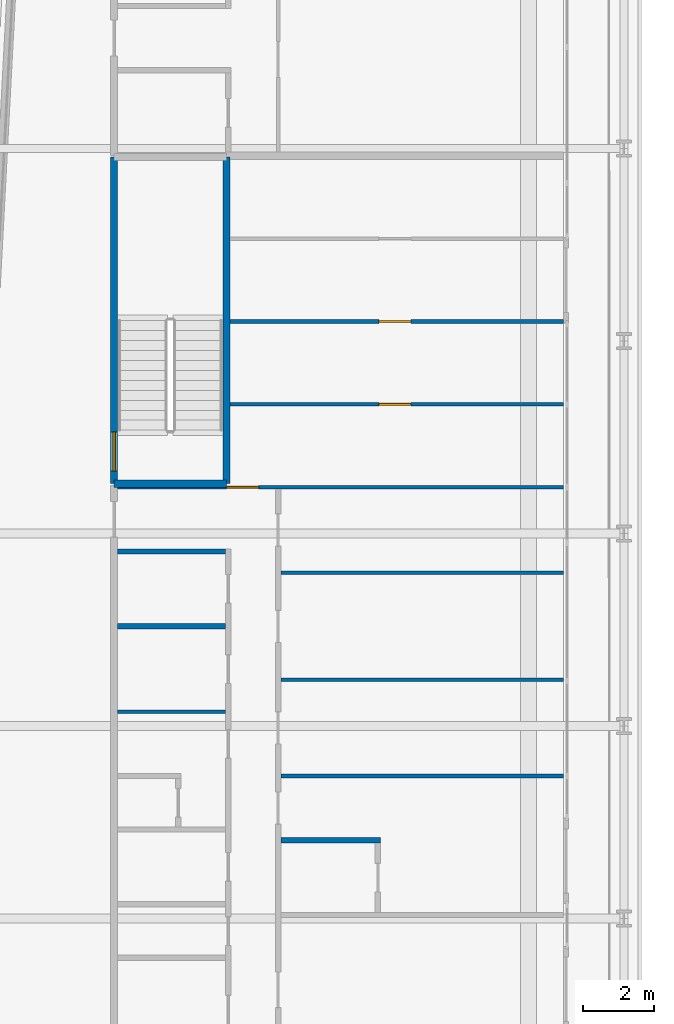
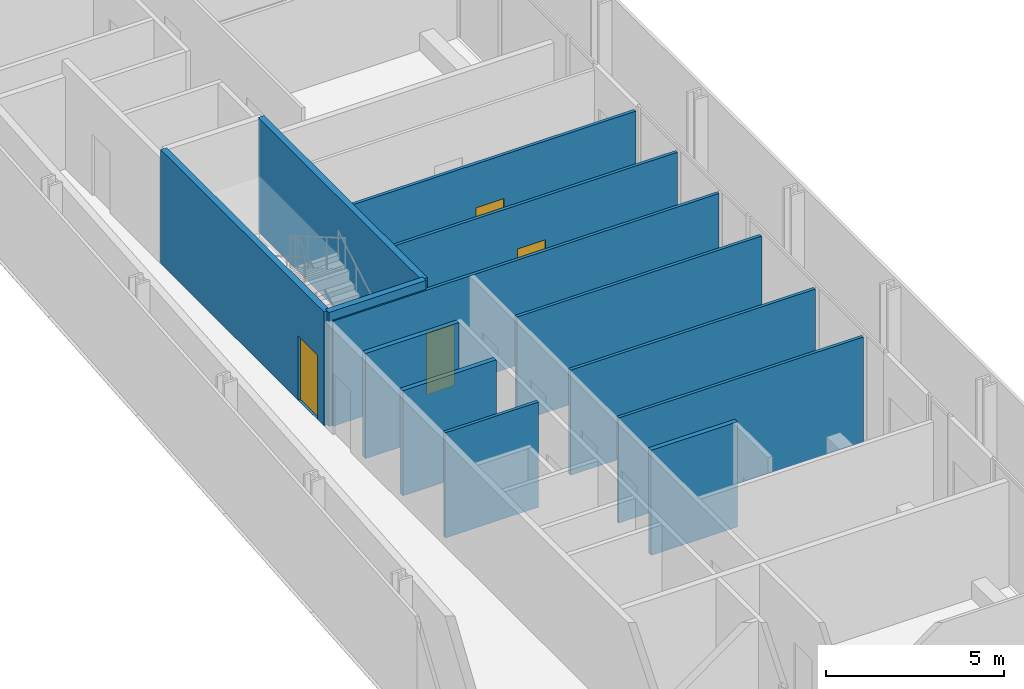
# One storey, part 17 of 27: 13 walls, 4 doors, 4 openings.
"""IFC4 building model written with IfcOpenShell, lengths in metres."""

from ifc_helpers import new_model, si_unit, direction, frame, frame_2d, origin, place, context, subcontext, project, spatial, rectangle, extrude, source, transform, mapped, material, layer, layer_set, type_object, element, fill, save


model = new_model("IFC4")

# Units and contexts
model_context = context("Model", 3, precision=1e-05, world=origin(), true_north=direction((0.0, 1.0)))
body_context = subcontext(model_context, "Body", "Model", "MODEL_VIEW")
ifc_project = project(units=[si_unit("LENGTHUNIT", "METRE"), si_unit("AREAUNIT", "SQUARE_METRE"), si_unit("VOLUMEUNIT", "CUBIC_METRE"), si_unit("PLANEANGLEUNIT", "RADIAN"), si_unit("MASSUNIT", "GRAM", prefix="KILO")], contexts=[model_context])

# Site, building, storey
site_placement = place(None, origin())
site = spatial("IfcSite", under=ifc_project, at=site_placement, CompositionType="ELEMENT")
building_placement = place(site_placement, origin())
building = spatial("IfcBuilding", under=site, at=building_placement, Name="Kheshtan School and Residences Tower", CompositionType="ELEMENT")
storey_placement = place(building_placement, frame((0.0, 0.0, 46.10009765625)))
storey = spatial("IfcBuildingStorey", under=building, at=storey_placement, Name="L10", CompositionType="ELEMENT", Elevation=46.10009765625)

# Wall
ifc_material_1 = material(Name="Gypsum board on steel studs", Category="steel")
ifc_layer_1 = layer(ifc_material_1, 0.10009765625)
ifc_layer_set_1 = layer_set([ifc_layer_1], Name="Gypsum partition 100")
wall_type_1 = type_object("IfcWallType", Name="Gypsum partition 100", PredefinedType="PARTITIONING", material=ifc_layer_set_1)
wall_1_placement = place(storey_placement, frame((33.39990234375, 73.0, 0.0), z_axis=(0.0, 0.0, 1.0), x_axis=(1.0, 0.0, 0.0)))
element("IfcWall", 1, at=wall_1_placement, inside=storey, type_object=wall_type_1, Name="Partition L10-014", PredefinedType="PARTITIONING", context=body_context, shape_type="SweptSolid", body=[
    extrude(rectangle(XDim=3.025146484375, YDim=0.10009765625, at=frame_2d((1.5126953125, 0.0))), origin(), (0.0, 0.0, 1.0), 3.599853515625),
])

# Wall, opening, door
wall_2_placement = place(storey_placement, frame((33.39990234375, 79.300048828125, 0.0), z_axis=(0.0, 0.0, 1.0), x_axis=(1.0, 0.0, 0.0)))
wall_2 = element("IfcWall", 2, at=wall_2_placement, inside=storey, type_object=wall_type_1, Name="Partition L10-017", PredefinedType="PARTITIONING", context=body_context, shape_type="SweptSolid", body=[
    extrude(rectangle(XDim=12.5, YDim=0.10009765625, at=frame_2d((6.25, 0.0))), origin(), (0.0, 0.0, 1.0), 3.599853515625),
])
opening_1_placement = place(wall_2_placement, frame((3.052978515625, 0.0, 0.0)))
opening_1 = element("IfcOpeningElement", 3, at=opening_1_placement, cuts=wall_2, Name="Opening D10-046", PredefinedType="OPENING", context=body_context, shape_type="SweptSolid", body=[
    extrude(rectangle(XDim=0.89990234375, YDim=2.10009765625, at=frame_2d((0.449951171875, 1.050048828125))), frame((0.0, 0.06005859375, 0.0), z_axis=(0.0, -1.0, 0.0), x_axis=(1.0, 0.0, 0.0)), (0.0, 0.0, 1.0), 0.1201171875),
])
ifc_material_2 = material(Name="Veneered timber door leaf", Category="wood")
door_type_1 = type_object("IfcDoorType", Name="Door 900 x 2100", OperationType="SINGLE_SWING_LEFT", PredefinedType="DOOR", material=ifc_material_2)
shared_shape_1 = source(origin(), body_context, "Body", "SweptSolid", [
    extrude(rectangle(XDim=0.89990234375, YDim=2.10009765625, at=frame_2d((0.449951171875, 1.050048828125))), frame((0.0, 0.02490234375, 0.0), z_axis=(0.0, -1.0, 0.0), x_axis=(1.0, 0.0, 0.0)), (0.0, 0.0, 1.0), 0.050048828125),
])
door_1_placement = place(opening_1_placement, origin())
door_1 = element("IfcDoor", 4, at=door_1_placement, inside=storey, type_object=door_type_1, Name="Door D10-046", OperationType="SINGLE_SWING_LEFT", OverallHeight=2.10009765625, OverallWidth=0.89990234375, PredefinedType="DOOR", context=body_context, shape_type="MappedRepresentation", body=[
    mapped(shared_shape_1, transform((0.0, 0.0, 0.0), x_axis=(1.0, 0.0, 0.0), y_axis=(0.0, 1.0, 0.0), z_axis=(0.0, 0.0, 1.0), scale=1.0)),
])
fill(opening_1, door_1)

wall_3_placement = place(storey_placement, frame((36.549072265625, 81.625, 0.0), z_axis=(0.0, 0.0, 1.0), x_axis=(1.0, 0.0, 0.0)))
wall_3 = element("IfcWall", 5, at=wall_3_placement, inside=storey, type_object=wall_type_1, Name="Partition L10-030", PredefinedType="PARTITIONING", context=body_context, shape_type="SweptSolid", body=[
    extrude(rectangle(XDim=9.350830078125, YDim=0.10009765625, at=frame_2d((4.67529296875, 0.0))), origin(), (0.0, 0.0, 1.0), 3.599853515625),
])
opening_2_placement = place(wall_3_placement, frame((4.176025390625, 0.0, 0.0)))
opening_2 = element("IfcOpeningElement", 6, at=opening_2_placement, cuts=wall_3, Name="Opening D10-047", PredefinedType="OPENING", context=body_context, shape_type="SweptSolid", body=[
    extrude(rectangle(XDim=0.89990234375, YDim=2.10009765625, at=frame_2d((0.449951171875, 1.050048828125))), frame((0.0, 0.06005859375, 0.0), z_axis=(0.0, -1.0, 0.0), x_axis=(1.0, 0.0, 0.0)), (0.0, 0.0, 1.0), 0.1201171875),
])
door_2_placement = place(opening_2_placement, origin())
door_2 = element("IfcDoor", 7, at=door_2_placement, inside=storey, type_object=door_type_1, Name="Door D10-047", OperationType="SINGLE_SWING_RIGHT", OverallHeight=2.10009765625, OverallWidth=0.89990234375, PredefinedType="DOOR", context=body_context, shape_type="MappedRepresentation", body=[
    mapped(shared_shape_1, transform((0.0, 0.0, 0.0), x_axis=(1.0, 0.0, 0.0), y_axis=(0.0, 1.0, 0.0), z_axis=(0.0, 0.0, 1.0), scale=1.0)),
])
fill(opening_2, door_2)

wall_4_placement = place(storey_placement, frame((36.549072265625, 83.949951171875, 0.0), z_axis=(0.0, 0.0, 1.0), x_axis=(1.0, 0.0, 0.0)))
wall_4 = element("IfcWall", 8, at=wall_4_placement, inside=storey, type_object=wall_type_1, Name="Partition L10-031", PredefinedType="PARTITIONING", context=body_context, shape_type="SweptSolid", body=[
    extrude(rectangle(XDim=9.350830078125, YDim=0.10009765625, at=frame_2d((4.67529296875, 0.0))), origin(), (0.0, 0.0, 1.0), 3.599853515625),
])
opening_3_placement = place(wall_4_placement, frame((4.176025390625, 0.0, 0.0)))
opening_3 = element("IfcOpeningElement", 9, at=opening_3_placement, cuts=wall_4, Name="Opening D10-048", PredefinedType="OPENING", context=body_context, shape_type="SweptSolid", body=[
    extrude(rectangle(XDim=0.89990234375, YDim=2.10009765625, at=frame_2d((0.449951171875, 1.050048828125))), frame((0.0, 0.06005859375, 0.0), z_axis=(0.0, -1.0, 0.0), x_axis=(1.0, 0.0, 0.0)), (0.0, 0.0, 1.0), 0.1201171875),
])
door_3_placement = place(opening_3_placement, origin())
door_3 = element("IfcDoor", 10, at=door_3_placement, inside=storey, type_object=door_type_1, Name="Door D10-048", OperationType="SINGLE_SWING_RIGHT", OverallHeight=2.10009765625, OverallWidth=0.89990234375, PredefinedType="DOOR", context=body_context, shape_type="MappedRepresentation", body=[
    mapped(shared_shape_1, transform((0.0, 0.0, 0.0), x_axis=(1.0, 0.0, 0.0), y_axis=(0.0, 1.0, 0.0), z_axis=(0.0, 0.0, 1.0), scale=1.0)),
])
fill(opening_3, door_3)

# Walls
for number, where, z_axis, x_axis, name in (
    (11, (37.97509765625, 71.199951171875, 0.0), (0.0, 0.0, 1.0), (1.0, 0.0, 0.0), "Partition L10-040"),
    (12, (37.97509765625, 73.89990234375, 0.0), (0.0, 0.0, 1.0), (1.0, 0.0, 0.0), "Partition L10-041"),
    (13, (37.97509765625, 76.89990234375, 0.0), (0.0, 0.0, 1.0), (1.0, 0.0, 0.0), "Partition L10-042"),
):
    element("IfcWall", number, at=place(storey_placement, frame(where, z_axis=z_axis, x_axis=x_axis)), inside=storey, type_object=wall_type_1, Name=name, PredefinedType="PARTITIONING", context=body_context, shape_type="SweptSolid", body=[
        extrude(rectangle(XDim=7.9248046875, YDim=0.10009765625, at=frame_2d((3.96240234375, 0.0))), origin(), (0.0, 0.0, 1.0), 3.599853515625),
    ])
ifc_material_3 = material(Name="Concrete C40/50", Category="concrete")
ifc_layer_2 = layer(ifc_material_3, 0.199951171875)
ifc_layer_set_2 = layer_set([ifc_layer_2], Name="Stair enclosure wall 200 Concrete C40/50")
wall_type_2 = type_object("IfcWallType", Name="Stair enclosure wall 200 Concrete C40/50", PredefinedType="SHEAR", material=ifc_layer_set_2)
wall_5_placement = place(storey_placement, frame((33.300048828125, 79.39990234375, 0.0), z_axis=(0.0, 0.0, 1.0), x_axis=(1.0, 0.0, 0.0)))
element("IfcWall", 14, at=wall_5_placement, inside=storey, type_object=wall_type_2, Name="Stair enclosure wall ST3", PredefinedType="SHEAR", context=body_context, shape_type="SweptSolid", body=[
    extrude(rectangle(XDim=3.14990234375, YDim=0.199951171875, at=frame_2d((1.574951171875, 0.0))), origin(), (0.0, 0.0, 1.0), 3.89990234375),
])

# Wall, opening, door
wall_6_placement = place(storey_placement, frame((33.300048828125, 79.39990234375, 0.0), z_axis=(0.0, 0.0, 1.0), x_axis=(0.0, 1.0, 0.0)))
wall_6 = element("IfcWall", 15, at=wall_6_placement, inside=storey, type_object=wall_type_2, Name="Stair enclosure wall ST3", PredefinedType="SHEAR", context=body_context, shape_type="SweptSolid", body=[
    extrude(rectangle(XDim=9.16015625, YDim=0.199951171875, at=frame_2d((4.580078125, 0.0))), origin(), (0.0, 0.0, 1.0), 3.89990234375),
])
opening_4_placement = place(wall_6_placement, frame((0.35009765625, 0.0, 0.0)))
opening_4 = element("IfcOpeningElement", 16, at=opening_4_placement, cuts=wall_6, Name="Opening ST3D", PredefinedType="OPENING", context=body_context, shape_type="SweptSolid", body=[
    extrude(rectangle(XDim=1.10009765625, YDim=2.199951171875, at=frame_2d((0.550048828125, 1.10009765625))), frame((0.0, 0.10986328125, 0.0), z_axis=(0.0, -1.0, 0.0), x_axis=(1.0, 0.0, 0.0)), (0.0, 0.0, 1.0), 0.219970703125),
])
ifc_material_4 = material(Name="Steel door leaf, galvanised", Category="steel")
door_type_2 = type_object("IfcDoorType", Name="Stair door 1100 steel 90 min", OperationType="SINGLE_SWING_LEFT", PredefinedType="DOOR", material=ifc_material_4)
shared_shape_2 = source(origin(), body_context, "Body", "SweptSolid", [
    extrude(rectangle(XDim=1.10009765625, YDim=2.199951171875, at=frame_2d((0.550048828125, 1.10009765625))), frame((0.0, 0.02490234375, 0.0), z_axis=(0.0, -1.0, 0.0), x_axis=(1.0, 0.0, 0.0)), (0.0, 0.0, 1.0), 0.050048828125),
])
door_4_placement = place(opening_4_placement, origin())
door_4 = element("IfcDoor", 17, at=door_4_placement, inside=storey, type_object=door_type_2, Name="Stair ST3 door", OperationType="SINGLE_SWING_RIGHT", OverallHeight=2.199951171875, OverallWidth=1.10009765625, PredefinedType="DOOR", context=body_context, shape_type="MappedRepresentation", body=[
    mapped(shared_shape_2, transform((0.0, 0.0, 0.0), x_axis=(1.0, 0.0, 0.0), y_axis=(0.0, 1.0, 0.0), z_axis=(0.0, 0.0, 1.0), scale=1.0)),
])
fill(opening_4, door_4)

# Walls
wall_7_placement = place(storey_placement, frame((36.449951171875, 79.39990234375, 0.0), z_axis=(0.0, 0.0, 1.0), x_axis=(0.0, 1.0, 0.0)))
element("IfcWall", 18, at=wall_7_placement, inside=storey, type_object=wall_type_2, Name="Stair enclosure wall ST3", PredefinedType="SHEAR", context=body_context, shape_type="SweptSolid", body=[
    extrude(rectangle(XDim=9.16015625, YDim=0.199951171875, at=frame_2d((4.580078125, 0.0))), origin(), (0.0, 0.0, 1.0), 3.89990234375),
])
ifc_material_5 = material(Name="Moisture-resistant gypsum board on steel studs", Category="steel")
ifc_layer_3 = layer(ifc_material_5, 0.14990234375)
ifc_layer_set_3 = layer_set([ifc_layer_3], Name="Wet-room partition 150")
wall_type_3 = type_object("IfcWallType", Name="Wet-room partition 150", PredefinedType="PARTITIONING", material=ifc_layer_set_3)
for number, where, z_axis, x_axis, name in (
    (19, (33.39990234375, 75.39990234375, 0.0), (0.0, 0.0, 1.0), (1.0, 0.0, 0.0), "Partition L10-015"),
    (20, (33.39990234375, 77.5, 0.0), (0.0, 0.0, 1.0), (1.0, 0.0, 0.0), "Partition L10-016"),
):
    element("IfcWall", number, at=place(storey_placement, frame(where, z_axis=z_axis, x_axis=x_axis)), inside=storey, type_object=wall_type_3, Name=name, PredefinedType="PARTITIONING", context=body_context, shape_type="SweptSolid", body=[
        extrude(rectangle(XDim=3.025146484375, YDim=0.14990234375, at=frame_2d((1.5126953125, 0.0))), origin(), (0.0, 0.0, 1.0), 3.599853515625),
    ])
wall_8_placement = place(storey_placement, frame((37.97509765625, 69.39990234375, 0.0), z_axis=(0.0, 0.0, 1.0), x_axis=(1.0, 0.0, 0.0)))
element("IfcWall", 21, at=wall_8_placement, inside=storey, type_object=wall_type_3, Name="Partition L10-039", PredefinedType="PARTITIONING", context=body_context, shape_type="SweptSolid", body=[
    extrude(rectangle(XDim=2.7998046875, YDim=0.14990234375, at=frame_2d((1.39990234375, 0.0))), origin(), (0.0, 0.0, 1.0), 3.599853515625),
])

save(model, "model.ifc")
